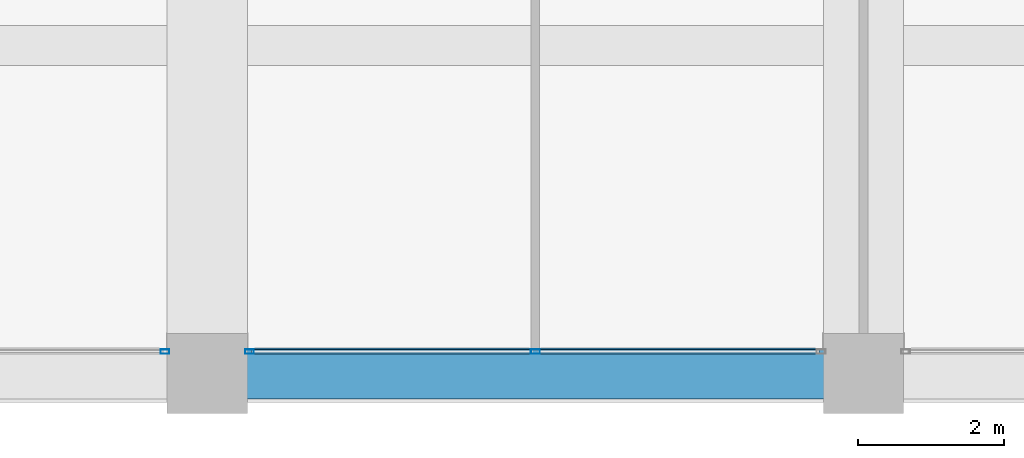
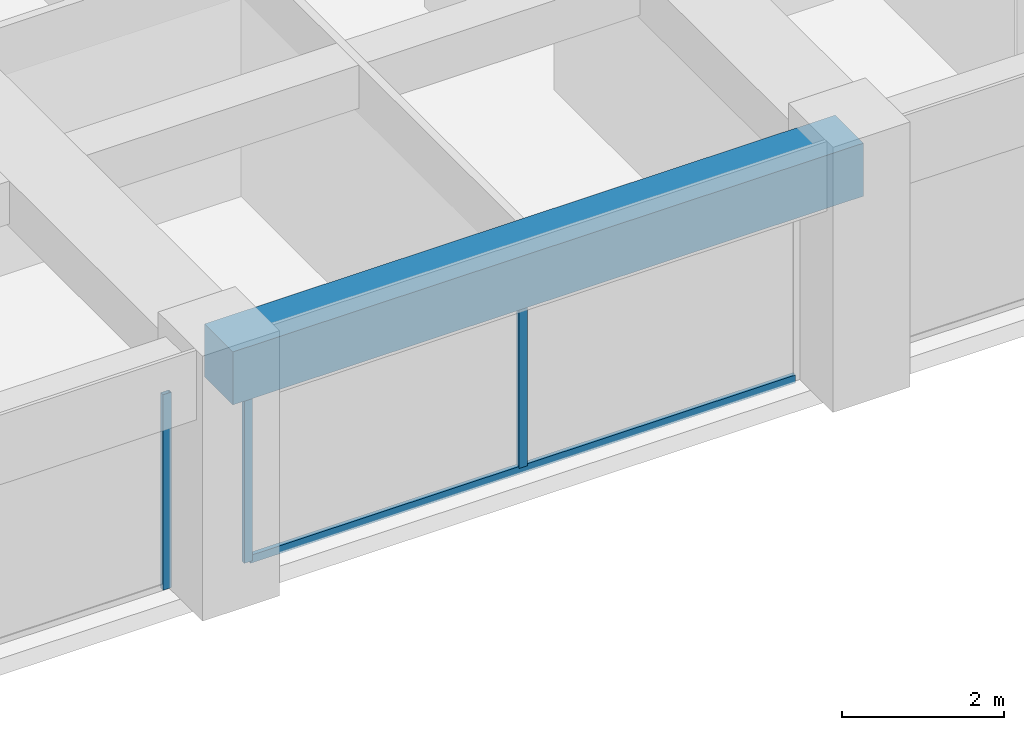
# One storey, part 9 of 44: 4 members, 1 beam, 2 elements without a shape of their own.
"""IFC4 building model written with IfcOpenShell, lengths in metres."""

from ifc_helpers import new_model, si_unit, direction, frame, origin, origin_2d, place, context, subcontext, project, spatial, rectangle, hollow_rectangle, extrude, material, material_profile, profile_set, type_object, element, aggregate, save


model = new_model("IFC4")

# Units and contexts
model_context = context("Model", 3, precision=1e-05, world=origin(), true_north=direction((0.0, 1.0)))
body_context = subcontext(model_context, "Body", "Model", "MODEL_VIEW")
ifc_project = project(units=[si_unit("LENGTHUNIT", "METRE"), si_unit("AREAUNIT", "SQUARE_METRE"), si_unit("VOLUMEUNIT", "CUBIC_METRE"), si_unit("PLANEANGLEUNIT", "RADIAN"), si_unit("MASSUNIT", "GRAM", prefix="KILO")], contexts=[model_context])

# Site, building, storey
site_placement = place(None, origin())
site = spatial("IfcSite", under=ifc_project, at=site_placement, CompositionType="ELEMENT")
building_placement = place(site_placement, origin())
building = spatial("IfcBuilding", under=site, at=building_placement, Name="Zorevar Civic Tower", CompositionType="ELEMENT")
storey_placement = place(building_placement, frame((0.0, 0.0, 299.39990234375)))
storey = spatial("IfcBuildingStorey", under=building, at=storey_placement, Name="L73", CompositionType="ELEMENT", Elevation=299.39990234375)

# Curtain wall, member
ifc_material_1 = material(Name="Dark grey solar-control glass in black aluminium frame", Category="aluminium")
curtain_wall_type = type_object("IfcCurtainWallType", Name="Curtain wall CW5 top zone", PredefinedType="NOTDEFINED", material=ifc_material_1)
curtain_wall_1_placement = place(storey_placement, origin())
curtain_wall_1 = element("IfcCurtainWall", 1, at=curtain_wall_1_placement, inside=storey, type_object=curtain_wall_type, Name="CW5 L73", PredefinedType="NOTDEFINED")
ifc_material_2 = material(Name="Aluminium, black anodised", Category="aluminium")
ifc_material_profile_1 = material_profile(ifc_material_2, hollow_rectangle(XDim=0.06005859375, YDim=0.1201171875, WallThickness=0.0029296875, at=origin_2d()), Name="AL 120x60x3")
ifc_profile_set_1 = profile_set([ifc_material_profile_1], Name="Aluminium, black anodised")
member_type_1 = type_object("IfcMemberType", Name="CW5 mullion AL 120x60x3", PredefinedType="MULLION", material=ifc_profile_set_1)
member_1_placement = place(storey_placement, frame((26.419921875, 0.300048828125, 0.0), z_axis=(0.0, 0.0, 1.0), x_axis=(0.0, 1.0, 0.0)))
member_1 = element("IfcMember", 2, at=member_1_placement, type_object=member_type_1, Name="CW5 mullion 3", PredefinedType="MULLION", context=body_context, shape_type="SweptSolid", body=[
    extrude(hollow_rectangle(XDim=0.06005859375, YDim=0.1201171875, WallThickness=0.0029296875, at=origin_2d()), origin(), (0.0, 0.0, 1.0), 2.9501953125),
])
aggregate(curtain_wall_1, [member_1])

# Curtain wall, members
curtain_wall_2_placement = place(storey_placement, origin())
curtain_wall_2 = element("IfcCurtainWall", 3, at=curtain_wall_2_placement, inside=storey, type_object=curtain_wall_type, Name="CW5 L73", PredefinedType="NOTDEFINED")
member_2_placement = place(storey_placement, frame((27.580078125, 0.300048828125, 0.0), z_axis=(0.0, 0.0, 1.0), x_axis=(0.0, 1.0, 0.0)))
member_2 = element("IfcMember", 4, at=member_2_placement, type_object=member_type_1, Name="CW5 mullion 1", PredefinedType="MULLION", context=body_context, shape_type="SweptSolid", body=[
    extrude(hollow_rectangle(XDim=0.06005859375, YDim=0.1201171875, WallThickness=0.0029296875, at=origin_2d()), origin(), (0.0, 0.0, 1.0), 2.9501953125),
])
member_3_placement = place(storey_placement, frame((31.5, 0.300048828125, 0.06005859375), z_axis=(0.0, 0.0, 1.0), x_axis=(0.0, 1.0, 0.0)))
member_3 = element("IfcMember", 5, at=member_3_placement, type_object=member_type_1, Name="CW5 mullion 2", PredefinedType="MULLION", context=body_context, shape_type="SweptSolid", body=[
    extrude(hollow_rectangle(XDim=0.06005859375, YDim=0.1201171875, WallThickness=0.0029296875, at=origin_2d()), origin(), (0.0, 0.0, 1.0), 2.89013671875),
])
ifc_material_3 = material(Name="Aluminium, black anodised", Category="aluminium")
ifc_material_profile_2 = material_profile(ifc_material_3, hollow_rectangle(XDim=0.06005859375, YDim=0.1201171875, WallThickness=0.0029296875, at=origin_2d()), Name="AL 120x60x3")
ifc_profile_set_2 = profile_set([ifc_material_profile_2], Name="Aluminium, black anodised")
member_type_2 = type_object("IfcMemberType", Name="CW5 transom AL 120x60x3", PredefinedType="USERDEFINED", material=ifc_profile_set_2)
member_4_placement = place(storey_placement, frame((27.610107421875, 0.300048828125, 0.030029296875), z_axis=(1.0, 0.0, 0.0), x_axis=(0.0, 1.0, 0.0)))
member_4 = element("IfcMember", 6, at=member_4_placement, type_object=member_type_2, Name="CW5 sill transom", ObjectType="TRANSOM", PredefinedType="USERDEFINED", context=body_context, shape_type="SweptSolid", body=[
    extrude(hollow_rectangle(XDim=0.06005859375, YDim=0.1201171875, WallThickness=0.0029296875, at=origin_2d()), origin(), (0.0, 0.0, 1.0), 7.77978515625),
])
aggregate(curtain_wall_2, [member_2, member_3, member_4])

# Beam
ifc_material_4 = material(Name="Concrete C50/60", Category="concrete")
ifc_material_profile_3 = material_profile(ifc_material_4, rectangle(XDim=0.699951171875, YDim=0.800048828125, at=origin_2d()), Name="RC 700x800")
ifc_profile_set_3 = profile_set([ifc_material_profile_3], Name="Concrete C50/60")
beam_type = type_object("IfcBeamType", Name="Edge beam RC 700x800", PredefinedType="SPANDREL", material=ifc_profile_set_3)
beam_placement = place(storey_placement, frame((27.0, 0.0, 3.35009765625), z_axis=(1.0, 0.0, 0.0), x_axis=(0.0, 1.0, 0.0)))
element("IfcBeam", 7, at=beam_placement, inside=storey, type_object=beam_type, Name="Edge beam L74", PredefinedType="SPANDREL", context=body_context, shape_type="SweptSolid", body=[
    extrude(rectangle(XDim=0.699951171875, YDim=0.800048828125, at=origin_2d()), origin(), (0.0, 0.0, 1.0), 9.0),
])

save(model, "model.ifc")
